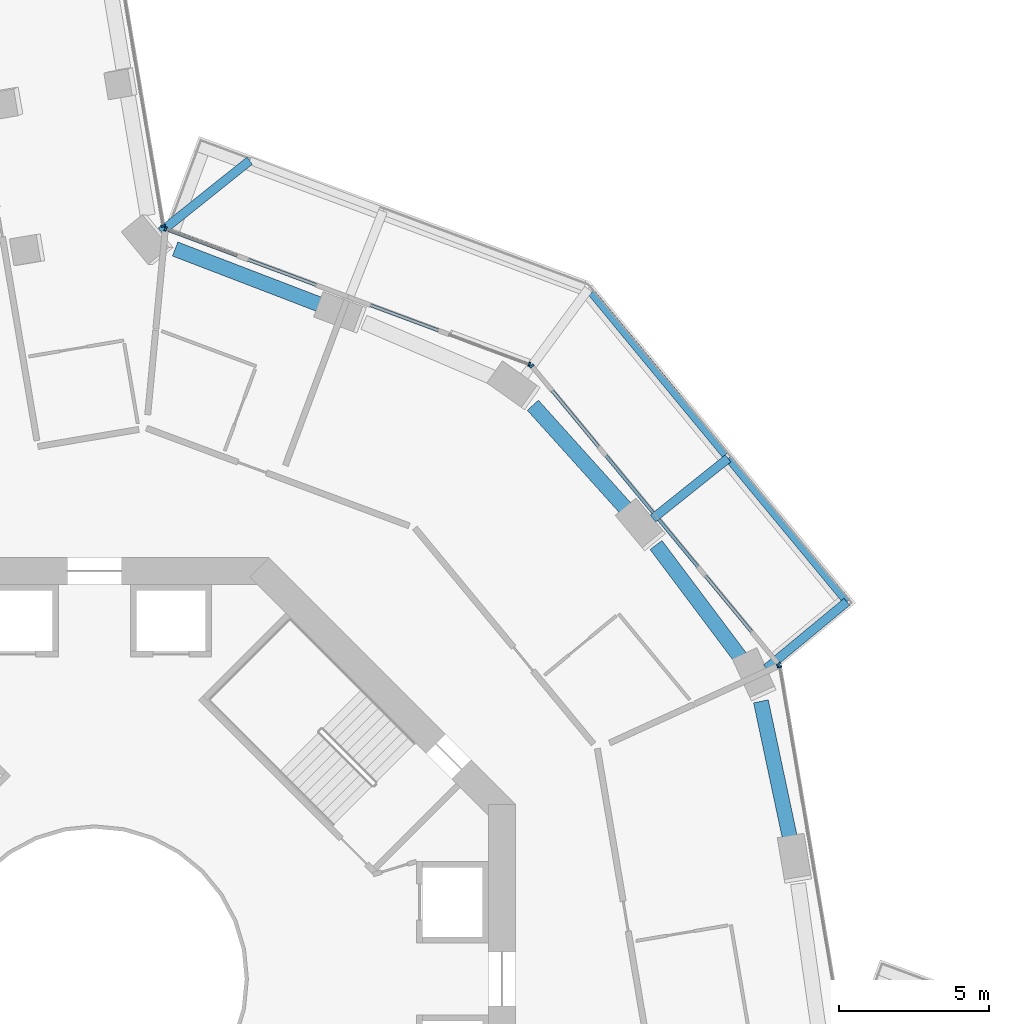
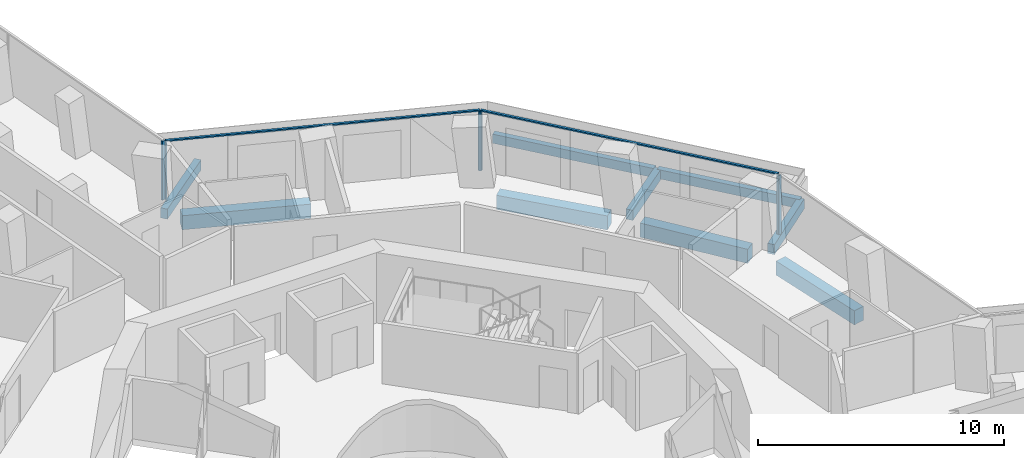
# One storey, part 9 of 27: 9 beams, 8 members, 4 elements without a shape of their own.
"""IFC4 building model written with IfcOpenShell, lengths in metres."""

from ifc_helpers import new_model, si_unit, direction, frame, origin, origin_2d, place, context, subcontext, project, spatial, rectangle, extrude, material, layer, layer_set, material_profile, profile_set, type_object, element, aggregate, save


model = new_model("IFC4")

# Units and contexts
model_context = context("Model", 3, precision=1e-05, world=origin(), true_north=direction((0.0, 1.0)))
body_context = subcontext(model_context, "Body", "Model", "MODEL_VIEW")
ifc_project = project(units=[si_unit("LENGTHUNIT", "METRE"), si_unit("AREAUNIT", "SQUARE_METRE"), si_unit("VOLUMEUNIT", "CUBIC_METRE"), si_unit("PLANEANGLEUNIT", "RADIAN"), si_unit("MASSUNIT", "GRAM", prefix="KILO")], contexts=[model_context])

# Site, building, storey
site_placement = place(None, origin())
site = spatial("IfcSite", under=ifc_project, at=site_placement, CompositionType="ELEMENT")
building_placement = place(site_placement, origin())
building = spatial("IfcBuilding", under=site, at=building_placement, Name="Verdalira Terraces Hotel", CompositionType="ELEMENT")
storey_placement = place(building_placement, frame((0.0, 0.0, 71.5)))
storey = spatial("IfcBuildingStorey", under=building, at=storey_placement, Name="L16", CompositionType="ELEMENT", Elevation=71.5)

# Beams
ifc_material_1 = material(Name="Concrete C40", Category="concrete")
ifc_material_profile_1 = material_profile(ifc_material_1, rectangle(XDim=0.300049, YDim=0.5, at=origin_2d()), Name="RC 300X500")
ifc_profile_set_1 = profile_set([ifc_material_profile_1], Name="Concrete C40")
beam_type_1 = type_object("IfcBeamType", Name="Balcony cantilever beam RC 300X500 C40", PredefinedType="BEAM", material=ifc_profile_set_1)
beam_1_placement = place(storey_placement, frame((22.334473, 10.319336, -0.560059), z_axis=(0.770499131, 0.637441048, 0.0), x_axis=(-0.637441048, 0.770499131, 0.0)))
element("IfcBeam", 1, at=beam_1_placement, inside=storey, type_object=beam_type_1, Name="Balcony cantilever beam R40-1", PredefinedType="BEAM", context=body_context, shape_type="SweptSolid", body=[
    extrude(rectangle(XDim=0.300049, YDim=0.5, at=origin_2d()), origin(), (0.0, 0.0, 1.0), 3.471436),
])
beam_2_placement = place(storey_placement, frame((18.564209, 15.302246, -0.560059), z_axis=(0.781054811, 0.624462474, 0.0), x_axis=(-0.624462474, 0.781054811, 0.0)))
element("IfcBeam", 2, at=beam_2_placement, inside=storey, type_object=beam_type_1, Name="Balcony cantilever beam R40-2", PredefinedType="BEAM", context=body_context, shape_type="SweptSolid", body=[
    extrude(rectangle(XDim=0.300049, YDim=0.5, at=origin_2d()), origin(), (0.0, 0.0, 1.0), 3.200684),
])
beam_3_placement = place(storey_placement, frame((2.217529, 24.839111, -0.560059), z_axis=(0.781083581, 0.624426489, 0.0), x_axis=(-0.624426489, 0.781083581, 0.0)))
element("IfcBeam", 3, at=beam_3_placement, inside=storey, type_object=beam_type_1, Name="Balcony cantilever beam R40-5", PredefinedType="BEAM", context=body_context, shape_type="SweptSolid", body=[
    extrude(rectangle(XDim=0.300049, YDim=0.5, at=origin_2d()), origin(), (0.0, 0.0, 1.0), 3.769775),
])
ifc_material_2 = material(Name="Concrete C40", Category="concrete")
ifc_material_profile_2 = material_profile(ifc_material_2, rectangle(XDim=0.25, YDim=0.449951, at=origin_2d()), Name="RC 250X450")
ifc_profile_set_2 = profile_set([ifc_material_profile_2], Name="Concrete C40")
beam_type_2 = type_object("IfcBeamType", Name="Balcony edge beam RC 250X450 C40", PredefinedType="BEAM", material=ifc_profile_set_2)
beam_4_placement = place(storey_placement, frame((25.009277, 12.532227, -0.534912), z_axis=(-0.637421579, 0.770515237, 0.0), x_axis=(-0.770515237, -0.637421579, 0.0)))
element("IfcBeam", 4, at=beam_4_placement, inside=storey, type_object=beam_type_2, Name="Balcony edge beam R40-1", PredefinedType="BEAM", context=body_context, shape_type="SweptSolid", body=[
    extrude(rectangle(XDim=0.25, YDim=0.449951, at=origin_2d()), origin(), (0.0, 0.0, 1.0), 6.189209),
])
beam_5_placement = place(storey_placement, frame((20.96875, 17.416748, -0.534912), z_axis=(-0.636818259, 0.771013946, 0.0), x_axis=(-0.771013946, -0.636818259, 0.0)))
element("IfcBeam", 5, at=beam_5_placement, inside=storey, type_object=beam_type_2, Name="Balcony edge beam R40-2", PredefinedType="BEAM", context=body_context, shape_type="SweptSolid", body=[
    extrude(rectangle(XDim=0.25, YDim=0.449951, at=origin_2d()), origin(), (0.0, 0.0, 1.0), 6.989746),
])

# Curtain wall, member
ifc_material_3 = material(Name="Clear glass", Category="glass")
ifc_layer_1 = layer(ifc_material_3, 0.14990234375)
ifc_layer_set_1 = layer_set([ifc_layer_1], Name="CW1 curtain wall")
curtain_wall_type_1 = type_object("IfcCurtainWallType", Name="CW1 curtain wall", PredefinedType="NOTDEFINED", material=ifc_layer_set_1)
curtain_wall_1_placement = place(storey_placement, origin())
curtain_wall_1 = element("IfcCurtainWall", 6, at=curtain_wall_1_placement, inside=storey, type_object=curtain_wall_type_1, Name="CW1 curtain wall L16 edge 39", PredefinedType="NOTDEFINED")
ifc_material_4 = material(Name="Terracotta frame", Category="masonry")
ifc_material_profile_3 = material_profile(ifc_material_4, rectangle(XDim=0.060059, YDim=0.149902, at=origin_2d()), Name="MU 60x150")
ifc_profile_set_3 = profile_set([ifc_material_profile_3], Name="Terracotta frame")
member_type_1 = type_object("IfcMemberType", Name="CW1 mullion 60x150", PredefinedType="MULLION", material=ifc_profile_set_3)
member_1_placement = place(storey_placement, frame((22.772461, 10.372803, 0.0), z_axis=(0.0, 0.0, 1.0), x_axis=(-0.166768747, 0.985996037, 0.0)))
member_1 = element("IfcMember", 7, at=member_1_placement, type_object=member_type_1, Name="CW1 mullion", PredefinedType="MULLION", context=body_context, shape_type="SweptSolid", body=[
    extrude(rectangle(XDim=0.060059, YDim=0.149902, at=origin_2d()), origin(), (0.0, 0.0, 1.0), 2.935059),
])
aggregate(curtain_wall_1, [member_1])

# Curtain wall, members
curtain_wall_2_placement = place(storey_placement, origin())
curtain_wall_2 = element("IfcCurtainWall", 8, at=curtain_wall_2_placement, inside=storey, type_object=curtain_wall_type_1, Name="CW1 curtain wall L16 edge 40", PredefinedType="NOTDEFINED")
member_2_placement = place(storey_placement, frame((22.732178, 10.460693, 0.0), z_axis=(0.0, 0.0, 1.0), x_axis=(-0.63742399, 0.770513243, 0.0)))
member_2 = element("IfcMember", 9, at=member_2_placement, type_object=member_type_1, Name="CW1 mullion", PredefinedType="MULLION", context=body_context, shape_type="SweptSolid", body=[
    extrude(rectangle(XDim=0.060059, YDim=0.149902, at=origin_2d()), origin(), (0.0, 0.0, 1.0), 2.935059),
])
member_3_placement = place(storey_placement, frame((14.535156, 20.369385, 0.0), z_axis=(0.0, 0.0, 1.0), x_axis=(-0.63742399, 0.770513243, 0.0)))
member_3 = element("IfcMember", 10, at=member_3_placement, type_object=member_type_1, Name="CW1 mullion", PredefinedType="MULLION", context=body_context, shape_type="SweptSolid", body=[
    extrude(rectangle(XDim=0.060059, YDim=0.149902, at=origin_2d()), origin(), (0.0, 0.0, 1.0), 2.935059),
])

curtain_wall_3_placement = place(storey_placement, origin())
curtain_wall_3 = element("IfcCurtainWall", 11, at=curtain_wall_3_placement, inside=storey, type_object=curtain_wall_type_1, Name="CW1 curtain wall L16 edge 41", PredefinedType="NOTDEFINED")
member_4_placement = place(storey_placement, frame((14.456055, 20.425293, 0.0), z_axis=(0.0, 0.0, 1.0), x_axis=(-0.937281989, 0.348572047, 0.0)))
member_4 = element("IfcMember", 12, at=member_4_placement, type_object=member_type_1, Name="CW1 mullion", PredefinedType="MULLION", context=body_context, shape_type="SweptSolid", body=[
    extrude(rectangle(XDim=0.060059, YDim=0.149902, at=origin_2d()), origin(), (0.0, 0.0, 1.0), 2.935059),
])
member_5_placement = place(storey_placement, frame((2.365479, 24.921875, 0.0), z_axis=(0.0, 0.0, 1.0), x_axis=(-0.937281989, 0.348572047, 0.0)))
member_5 = element("IfcMember", 13, at=member_5_placement, type_object=member_type_1, Name="CW1 mullion", PredefinedType="MULLION", context=body_context, shape_type="SweptSolid", body=[
    extrude(rectangle(XDim=0.060059, YDim=0.149902, at=origin_2d()), origin(), (0.0, 0.0, 1.0), 2.935059),
])

# Member
ifc_material_5 = material(Name="Terracotta frame", Category="masonry")
ifc_material_profile_4 = material_profile(ifc_material_5, rectangle(XDim=0.110107, YDim=0.064941, at=origin_2d()), Name="TR 65x110")
ifc_profile_set_4 = profile_set([ifc_material_profile_4], Name="Terracotta frame")
member_type_2 = type_object("IfcMemberType", Name="CW1 transom 65x110", PredefinedType="USERDEFINED", material=ifc_profile_set_4)
member_6_placement = place(storey_placement, frame((22.751221, 10.437744, 2.967529), z_axis=(-0.637433118, 0.770505691, 0.0), x_axis=(-0.770505691, -0.637433118, 0.0)))
member_6 = element("IfcMember", 14, at=member_6_placement, type_object=member_type_2, Name="CW1 transom", ObjectType="TRANSOM", PredefinedType="USERDEFINED", context=body_context, shape_type="SweptSolid", body=[
    extrude(rectangle(XDim=0.110107, YDim=0.064941, at=origin_2d()), origin(), (0.0, 0.0, 1.0), 12.919434),
])

aggregate(curtain_wall_2, [member_2, member_3, member_6])

member_7_placement = place(storey_placement, frame((14.484375, 20.414795, 2.967529), z_axis=(-0.937277969, 0.348582858, 0.0), x_axis=(-0.348582858, -0.937277969, 0.0)))
member_7 = element("IfcMember", 15, at=member_7_placement, type_object=member_type_2, Name="CW1 transom", ObjectType="TRANSOM", PredefinedType="USERDEFINED", context=body_context, shape_type="SweptSolid", body=[
    extrude(rectangle(XDim=0.110107, YDim=0.064941, at=origin_2d()), origin(), (0.0, 0.0, 1.0), 12.959961),
])

aggregate(curtain_wall_3, [member_4, member_5, member_7])

# Curtain wall, member
ifc_material_6 = material(Name="Clear glass", Category="glass")
ifc_layer_2 = layer(ifc_material_6, 0.14990234375)
ifc_layer_set_2 = layer_set([ifc_layer_2], Name="CW2 curtain wall")
curtain_wall_type_2 = type_object("IfcCurtainWallType", Name="CW2 curtain wall", PredefinedType="NOTDEFINED", material=ifc_layer_set_2)
curtain_wall_4_placement = place(storey_placement, origin())
curtain_wall_4 = element("IfcCurtainWall", 16, at=curtain_wall_4_placement, inside=storey, type_object=curtain_wall_type_2, Name="CW2 curtain wall L16 edge 0", PredefinedType="NOTDEFINED")
ifc_material_7 = material(Name="Terracotta frame", Category="masonry")
ifc_material_profile_5 = material_profile(ifc_material_7, rectangle(XDim=0.070068, YDim=0.149902, at=origin_2d()), Name="MU 70x150")
ifc_profile_set_5 = profile_set([ifc_material_profile_5], Name="Terracotta frame")
member_type_3 = type_object("IfcMemberType", Name="CW2 mullion 70x150", PredefinedType="MULLION", material=ifc_profile_set_5)
member_8_placement = place(storey_placement, frame((2.283691, 25.024658, 0.0), z_axis=(0.0, 0.0, 1.0), x_axis=(-0.166768747, 0.985996037, 0.0)))
member_8 = element("IfcMember", 17, at=member_8_placement, type_object=member_type_3, Name="CW2 mullion", PredefinedType="MULLION", context=body_context, shape_type="SweptSolid", body=[
    extrude(rectangle(XDim=0.070068, YDim=0.149902, at=origin_2d()), origin(), (0.0, 0.0, 1.0), 2.935059),
])
aggregate(curtain_wall_4, [member_8])

# Beams
ifc_material_8 = material(Name="Concrete C70", Category="concrete")
ifc_material_profile_6 = material_profile(ifc_material_8, rectangle(XDim=0.5, YDim=0.699951, at=origin_2d()), Name="RC 500X700")
ifc_profile_set_6 = profile_set([ifc_material_profile_6], Name="Concrete C70")
beam_type_3 = type_object("IfcBeamType", Name="Spandrel beam RC 500X700 C70", PredefinedType="SPANDREL", material=ifc_profile_set_6)
beam_6_placement = place(storey_placement, frame((23.138916, 4.572754, -0.659912), z_axis=(-0.207614374, 0.97821075, 0.0), x_axis=(-0.97821075, -0.207614374, 0.0)))
element("IfcBeam", 18, at=beam_6_placement, inside=storey, type_object=beam_type_3, Name="Spandrel beam B31", PredefinedType="SPANDREL", context=body_context, shape_type="SweptSolid", body=[
    extrude(rectangle(XDim=0.5, YDim=0.699951, at=origin_2d()), origin(), (0.0, 0.0, 1.0), 4.755371),
])
beam_7_placement = place(storey_placement, frame((21.52002, 10.611816, -0.659912), z_axis=(-0.599811196, 0.800141568, 0.0), x_axis=(-0.800141568, -0.599811196, 0.0)))
element("IfcBeam", 19, at=beam_7_placement, inside=storey, type_object=beam_type_3, Name="Spandrel beam B32", PredefinedType="SPANDREL", context=body_context, shape_type="SweptSolid", body=[
    extrude(rectangle(XDim=0.5, YDim=0.699951, at=origin_2d()), origin(), (0.0, 0.0, 1.0), 4.759033),
])
beam_8_placement = place(storey_placement, frame((17.752686, 15.529541, -0.659912), z_axis=(-0.668933531, 0.743322225, 0.0), x_axis=(-0.743322225, -0.668933531, 0.0)))
element("IfcBeam", 20, at=beam_8_placement, inside=storey, type_object=beam_type_3, Name="Spandrel beam B33", PredefinedType="SPANDREL", context=body_context, shape_type="SweptSolid", body=[
    extrude(rectangle(XDim=0.5, YDim=0.699951, at=origin_2d()), origin(), (0.0, 0.0, 1.0), 4.755615),
])
beam_9_placement = place(storey_placement, frame((7.642822, 22.352783, -0.659912), z_axis=(-0.933577567, 0.358375399, 0.0), x_axis=(-0.358375399, -0.933577567, 0.0)))
element("IfcBeam", 21, at=beam_9_placement, inside=storey, type_object=beam_type_3, Name="Spandrel beam B35", PredefinedType="SPANDREL", context=body_context, shape_type="SweptSolid", body=[
    extrude(rectangle(XDim=0.5, YDim=0.699951, at=origin_2d()), origin(), (0.0, 0.0, 1.0), 5.312256),
])

save(model, "model.ifc")
